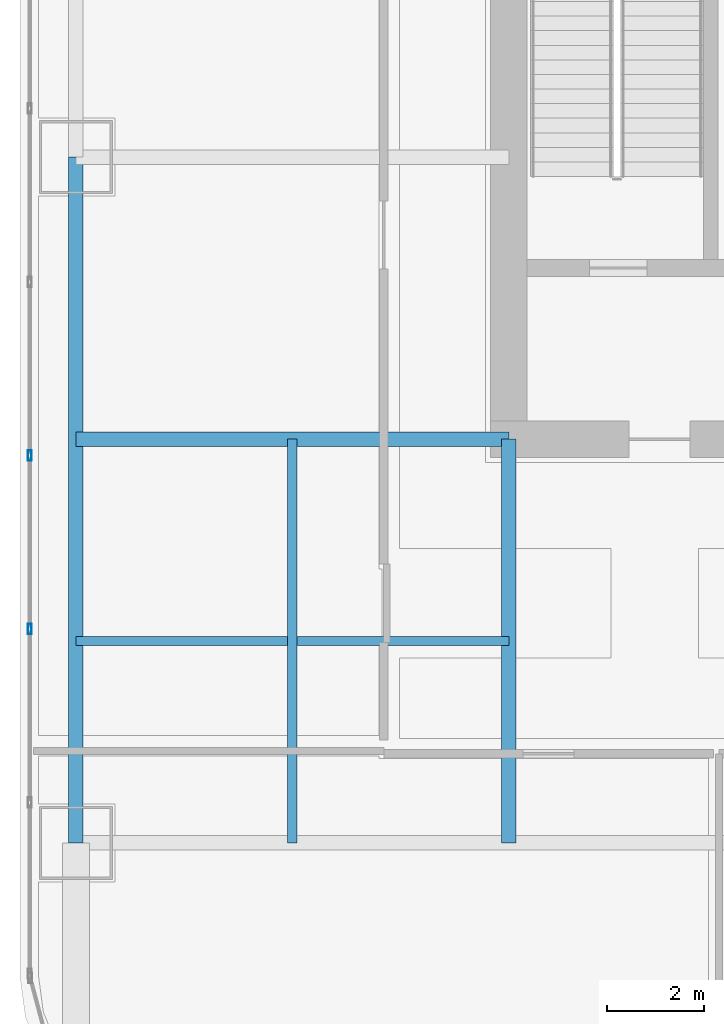
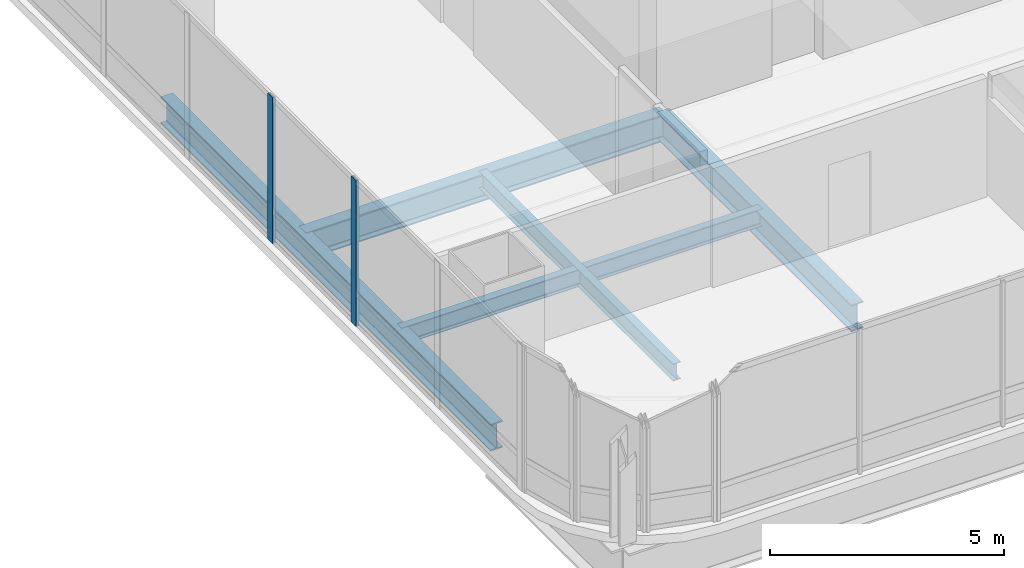
# One storey, part 3 of 34: 5 beams, 2 members, 1 element without a shape of its own.
"""IFC4 building model written with IfcOpenShell, lengths in metres."""

import ifcopenshell
import ifcopenshell.guid

model = None  # the IFC model being written
_history = None  # IfcOwnerHistory: only IFC2X3 demands one
_inside = {}  # id of a spatial element -> (the spatial element, [elements in it])
_under = {}  # id of a project, library or spatial element -> (it, [spatial elements below it])
_declared = {}  # id of a project -> (the project, [libraries it declares])
_typed = {}  # id of a type object -> (the type object, [elements of that type])
_made_of = {}  # id of a material, layer set ... -> (it, [elements and type objects made of it])


def new_model(schema):
    """Start an empty IFC model of exactly this schema.

    Asked for "IFC4X3", IfcOpenShell would pick the latest addendum, in which some entities
    have other attributes; the version numbers below select the first issue.
    IFC2X3 requires an IfcOwnerHistory on every rooted entity: one is made here for all.
    """
    global model, _history
    if schema == "IFC4X3":
        model = ifcopenshell.file(schema_version=(4, 3, 0, 0))
    else:
        model = ifcopenshell.file(schema=schema)
    _inside.clear()
    _under.clear()
    _declared.clear()
    _typed.clear()
    _made_of.clear()
    _history = None
    if model.schema == "IFC2X3":
        org = make("IfcOrganization", Name="unknown")
        user = make(
            "IfcPersonAndOrganization",
            ThePerson=make("IfcPerson", FamilyName="unknown"),
            TheOrganization=org,
        )
        app = make(
            "IfcApplication",
            ApplicationDeveloper=org,
            Version="unknown",
            ApplicationFullName="unknown",
            ApplicationIdentifier="unknown",
        )
        _history = make(
            "IfcOwnerHistory",
            OwningUser=user,
            OwningApplication=app,
            ChangeAction="ADDED",
            CreationDate=0,
        )
    return model


def make(cls, **values):
    """One entity of the class cls with the attributes given. An attribute that is None is left unset."""
    return model.create_entity(
        cls, **{name: value for name, value in values.items() if value is not None}
    )


def rooted(cls, **values):
    """An entity with a GlobalId (a new one), such as an element, a storey or a relation."""
    return make(cls, GlobalId=ifcopenshell.guid.new(), OwnerHistory=_history, **values)


def si_unit(unit_type, name, prefix=None):
    """IfcSIUnit, for example si_unit("LENGTHUNIT", "METRE", prefix="MILLI")."""
    return make("IfcSIUnit", UnitType=unit_type, Prefix=prefix, Name=name)


def assignment(units):
    """IfcUnitAssignment: the units of a project."""
    return None if units is None else make("IfcUnitAssignment", Units=units)


def point(xyz):
    """IfcCartesianPoint."""
    return None if xyz is None else make("IfcCartesianPoint", Coordinates=xyz)


def direction(xyz):
    """IfcDirection."""
    return None if xyz is None else make("IfcDirection", DirectionRatios=xyz)


def frame(location, z_axis=None, x_axis=None):
    """IfcAxis2Placement3D, a coordinate frame: its origin and axes. An axis left out is left unset."""
    return make(
        "IfcAxis2Placement3D",
        Location=point(location),
        Axis=direction(z_axis),
        RefDirection=direction(x_axis),
    )


def frame_2d(location, x_axis=None):
    """IfcAxis2Placement2D, a coordinate frame in the plane: its origin and x axis."""
    return make(
        "IfcAxis2Placement2D", Location=point(location), RefDirection=direction(x_axis)
    )


def origin():
    """The frame at (0, 0, 0) with its axes left unset."""
    return frame((0.0, 0.0, 0.0))


def origin_2d():
    """The frame at (0, 0) in the plane with its x axis left unset."""
    return frame_2d((0.0, 0.0))


def place(relative_to, where):
    """IfcLocalPlacement: puts the frame where relative to a parent placement (None: the world)."""
    return make(
        "IfcLocalPlacement", PlacementRelTo=relative_to, RelativePlacement=where
    )


def context(
    kind, dimensions, precision=None, world=None, true_north=None, identifier=None
):
    """IfcGeometricRepresentationContext, for example the 3D "Model" context."""
    return make(
        "IfcGeometricRepresentationContext",
        ContextIdentifier=identifier,
        ContextType=kind,
        CoordinateSpaceDimension=dimensions,
        Precision=precision,
        WorldCoordinateSystem=world,
        TrueNorth=true_north,
    )


def subcontext(parent, identifier, kind, view, scale=None):
    """IfcGeometricRepresentationSubContext, for example "Body" below "Model"."""
    return make(
        "IfcGeometricRepresentationSubContext",
        ContextIdentifier=identifier,
        ContextType=kind,
        ParentContext=parent,
        TargetScale=scale,
        TargetView=view,
    )


def project(units=None, contexts=None):
    """IfcProject with its units and contexts."""
    return rooted(
        "IfcProject",
        Name="project",
        RepresentationContexts=contexts,
        UnitsInContext=assignment(units),
    )


def spatial(cls, under=None, at=None, **own):
    """A site, building, storey or space (cls), placed at a placement, below another one or the project."""
    s = rooted(cls, ObjectPlacement=at, **own)
    if under is not None:
        _under.setdefault(under.id(), (under, []))[1].append(s)
    return s


def profile(cls, at=None, kind="AREA", **sizes):
    """A parametric profile (cls). Its sizes go by their IFC names, for example OverallWidth=200.0."""
    return make(cls, ProfileType=kind, Position=at, **sizes)


def hollow_rectangle(**sizes):
    """IfcRectangleHollowProfileDef."""
    return profile("IfcRectangleHollowProfileDef", **sizes)


def i_section(**sizes):
    """IfcIShapeProfileDef."""
    return profile("IfcIShapeProfileDef", **sizes)


def extrude(swept, where, along, depth):
    """IfcExtrudedAreaSolid: the profile swept, set in the frame where, extruded along a direction by depth."""
    return make(
        "IfcExtrudedAreaSolid",
        SweptArea=swept,
        Position=where,
        ExtrudedDirection=direction(along),
        Depth=depth,
    )


def shape(context_of_items, identifier, shape_type, items):
    """IfcShapeRepresentation: the items that make up one representation, for example the "Body"."""
    return make(
        "IfcShapeRepresentation",
        ContextOfItems=context_of_items,
        RepresentationIdentifier=identifier,
        RepresentationType=shape_type,
        Items=items,
    )


def material(Name=None, Category=None):
    """IfcMaterial."""
    return make("IfcMaterial", Name=Name, Category=Category)


def material_profile(
    of_material, cross_section, Name=None, Category=None, Priority=None
):
    """IfcMaterialProfile: a cross section and its material."""
    return make(
        "IfcMaterialProfile",
        Name=Name,
        Material=of_material,
        Profile=cross_section,
        Priority=Priority,
        Category=Category,
    )


def profile_set(profiles, Name=None, composite=None):
    """IfcMaterialProfileSet."""
    return make(
        "IfcMaterialProfileSet",
        Name=Name,
        MaterialProfiles=profiles,
        CompositeProfile=composite,
    )


def made_of(thing, what):
    """Note that an element or type object is made of a material, layer set ...; save() writes the relation."""
    if what is not None:
        _made_of.setdefault(what.id(), (what, []))[1].append(thing)
    return thing


def type_object(cls, material=None, **own):
    """A type object (cls), such as IfcWallType, which elements share."""
    return made_of(rooted(cls, **own), material)


def element(
    cls,
    number,
    at=None,
    inside=None,
    cuts=None,
    type_object=None,
    material=None,
    context=None,
    identifier="Body",
    shape_type=None,
    held_by="IfcProductDefinitionShape",
    body=None,
    shapes=None,
    **own,
):
    """One element of the class cls, such as IfcWall. Its Tag is "e" and its number.

    at: its placement. inside: the storey or other place that contains it. cuts: it is an
    opening in that element (IfcRelVoidsElement). A single representation is given by context,
    identifier, shape_type and body (its items); several are given by shapes. held_by: the class
    of the entity that holds the representations. save() writes the other relations.
    """
    e = rooted(cls, Tag="e%d" % number, ObjectPlacement=at, **own)
    if body is not None:
        shapes = [shape(context, identifier, shape_type, body)]
    if shapes is not None:
        e.Representation = make(held_by, Representations=shapes)
    if inside is not None:
        _inside.setdefault(inside.id(), (inside, []))[1].append(e)
    if cuts is not None:
        rooted(
            "IfcRelVoidsElement", RelatingBuildingElement=cuts, RelatedOpeningElement=e
        )
    if type_object is not None:
        _typed.setdefault(type_object.id(), (type_object, []))[1].append(e)
    return made_of(e, material)


def aggregate(whole, parts):
    """IfcRelAggregates: a whole, such as a stair, and the parts it consists of."""
    return rooted("IfcRelAggregates", RelatingObject=whole, RelatedObjects=parts)


def save(model, path):
    """Write the relations noted so far, then the file.

    IfcRelAggregates (storeys below a building ...), IfcRelContainedInSpatialStructure (elements
    in a storey), IfcRelDefinesByType, IfcRelAssociatesMaterial and IfcRelDeclares: one each for
    every whole, place, type object, material and project.
    """
    for whole, parts in _under.values():
        aggregate(whole, parts)
    for where, things in _inside.values():
        rooted(
            "IfcRelContainedInSpatialStructure",
            RelatedElements=things,
            RelatingStructure=where,
        )
    for kind, things in _typed.values():
        rooted("IfcRelDefinesByType", RelatedObjects=things, RelatingType=kind)
    for what, things in _made_of.values():
        rooted("IfcRelAssociatesMaterial", RelatedObjects=things, RelatingMaterial=what)
    for by, libraries in _declared.values():
        rooted("IfcRelDeclares", RelatingContext=by, RelatedDefinitions=libraries)
    model.write(path)


model = new_model("IFC4")

# Units and contexts
model_context = context("Model", 3, precision=1e-05, world=origin(), true_north=direction((0.0, 1.0)))
body_context = subcontext(model_context, "Body", "Model", "MODEL_VIEW")
ifc_project = project(units=[si_unit("LENGTHUNIT", "METRE"), si_unit("AREAUNIT", "SQUARE_METRE"), si_unit("VOLUMEUNIT", "CUBIC_METRE"), si_unit("PLANEANGLEUNIT", "RADIAN"), si_unit("MASSUNIT", "GRAM", prefix="KILO")], contexts=[model_context])

# Site, building, storey
site_placement = place(None, origin())
site = spatial("IfcSite", under=ifc_project, at=site_placement, CompositionType="ELEMENT")
building_placement = place(site_placement, origin())
building = spatial("IfcBuilding", under=site, at=building_placement, Name="Punatoya Terracotta Tower", CompositionType="ELEMENT")
storey_placement = place(building_placement, frame((0.0, 0.0, 84.89990234375)))
storey = spatial("IfcBuildingStorey", under=building, at=storey_placement, Name="L19", CompositionType="ELEMENT", Elevation=84.89990234375)

# Beams
ifc_material_1 = material(Name="Steel S355", Category="steel")
ifc_material_profile_1 = material_profile(ifc_material_1, i_section(OverallWidth=0.300048828125, OverallDepth=0.699951171875, WebThickness=0.01708984375, FlangeThickness=0.031982421875, FilletRadius=0.01806640625, at=origin_2d()))
ifc_profile_set_1 = profile_set([ifc_material_profile_1], Name="Steel S355")
beam_type_1 = type_object("IfcBeamType", Name="BM-PRI-700", PredefinedType="BEAM", material=ifc_profile_set_1)
beam_1_placement = place(storey_placement, frame((-19.10009765625, -17.5, -0.58984375), z_axis=(0.0, 1.0, 0.0), x_axis=(-1.0, 0.0, 0.0)))
element("IfcBeam", 1, at=beam_1_placement, inside=storey, type_object=beam_type_1, Name="BM-L19-RG-W1", PredefinedType="BEAM", context=body_context, shape_type="SweptSolid", body=[
    extrude(i_section(OverallWidth=0.300048828125, OverallDepth=0.699951171875, WebThickness=0.01708984375, FlangeThickness=0.031982421875, FilletRadius=0.01806640625, at=origin_2d()), origin(), (0.0, 0.0, 1.0), 14.10009765625),
])
beam_2_placement = place(storey_placement, frame((-19.10009765625, -9.199951171875, -0.58984375), z_axis=(1.0, 0.0, 0.0), x_axis=(0.0, 1.0, 0.0)))
element("IfcBeam", 2, at=beam_2_placement, inside=storey, type_object=beam_type_1, Name="BM-L19-PR-WS", PredefinedType="BEAM", context=body_context, shape_type="SweptSolid", body=[
    extrude(i_section(OverallWidth=0.300048828125, OverallDepth=0.699951171875, WebThickness=0.01708984375, FlangeThickness=0.031982421875, FilletRadius=0.01806640625, at=origin_2d()), origin(), (0.0, 0.0, 1.0), 8.900146484375),
])
beam_3_placement = place(storey_placement, frame((-10.199951171875, -17.5, -0.58984375), z_axis=(0.0, 1.0, 0.0), x_axis=(-1.0, 0.0, 0.0)))
element("IfcBeam", 3, at=beam_3_placement, inside=storey, type_object=beam_type_1, Name="BM-L19-PR-S1", PredefinedType="BEAM", context=body_context, shape_type="SweptSolid", body=[
    extrude(i_section(OverallWidth=0.300048828125, OverallDepth=0.699951171875, WebThickness=0.01708984375, FlangeThickness=0.031982421875, FilletRadius=0.01806640625, at=origin_2d()), origin(), (0.0, 0.0, 1.0), 8.300048828125),
])
ifc_material_profile_2 = material_profile(ifc_material_1, i_section(OverallWidth=0.18994140625, OverallDepth=0.449951171875, WebThickness=0.009521484375, FlangeThickness=0.0146484375, FilletRadius=0.01806640625, at=origin_2d()))
ifc_profile_set_2 = profile_set([ifc_material_profile_2], Name="Steel S355")
beam_type_2 = type_object("IfcBeamType", Name="BM-SEC-450", PredefinedType="JOIST", material=ifc_profile_set_2)
beam_4_placement = place(storey_placement, frame((-19.10009765625, -13.35009765625, -0.46484375), z_axis=(1.0, 0.0, 0.0), x_axis=(0.0, 1.0, 0.0)))
element("IfcBeam", 4, at=beam_4_placement, inside=storey, type_object=beam_type_2, Name="BM-L19-SJS-1", PredefinedType="JOIST", context=body_context, shape_type="SweptSolid", body=[
    extrude(i_section(OverallWidth=0.18994140625, OverallDepth=0.449951171875, WebThickness=0.009521484375, FlangeThickness=0.0146484375, FilletRadius=0.01806640625, at=origin_2d()), origin(), (0.0, 0.0, 1.0), 8.900146484375),
])
beam_5_placement = place(storey_placement, frame((-14.64990234375, -17.5, -0.46484375), z_axis=(0.0, 1.0, 0.0), x_axis=(-1.0, 0.0, 0.0)))
element("IfcBeam", 5, at=beam_5_placement, inside=storey, type_object=beam_type_2, Name="BM-L19-SJW-1", PredefinedType="JOIST", context=body_context, shape_type="SweptSolid", body=[
    extrude(i_section(OverallWidth=0.18994140625, OverallDepth=0.449951171875, WebThickness=0.009521484375, FlangeThickness=0.0146484375, FilletRadius=0.01806640625, at=origin_2d()), origin(), (0.0, 0.0, 1.0), 8.300048828125),
])

# Curtain wall, members
ifc_material_2 = material(Name="Aluminium 6063-T6 + Double Low-E Glass", Category="aluminium")
curtain_wall_type = type_object("IfcCurtainWallType", Name="CW-M1", PredefinedType="NOTDEFINED", material=ifc_material_2)
curtain_wall_placement = place(storey_placement, origin())
curtain_wall = element("IfcCurtainWall", 6, at=curtain_wall_placement, inside=storey, type_object=curtain_wall_type, Name="L19 Curtain Wall CW-L19-W13-1", PredefinedType="NOTDEFINED")
ifc_material_3 = material(Name="Aluminium 6063-T6", Category="aluminium")
ifc_material_profile_3 = material_profile(ifc_material_3, hollow_rectangle(XDim=0.074951171875, YDim=0.2099609375, WallThickness=0.00439453125, at=origin_2d()))
ifc_profile_set_3 = profile_set([ifc_material_profile_3], Name="Aluminium 6063-T6")
member_type = type_object("IfcMemberType", Name="CW-MUL-M1", PredefinedType="MULLION", material=ifc_profile_set_3)
member_1_placement = place(storey_placement, frame((-20.050048828125, -9.534912109375, 0.0), z_axis=(0.0, 0.0, 1.0), x_axis=(1.0, 0.0, 0.0)))
member_1 = element("IfcMember", 7, at=member_1_placement, type_object=member_type, Name="CW-L19-W13-1 Mullion 07", PredefinedType="MULLION", context=body_context, shape_type="SweptSolid", body=[
    extrude(hollow_rectangle(XDim=0.074951171875, YDim=0.2099609375, WallThickness=0.00439453125, at=origin_2d()), origin(), (0.0, 0.0, 1.0), 3.81005859375),
])
member_2_placement = place(storey_placement, frame((-20.050048828125, -13.10205078125, 0.0), z_axis=(0.0, 0.0, 1.0), x_axis=(1.0, 0.0, 0.0)))
member_2 = element("IfcMember", 8, at=member_2_placement, type_object=member_type, Name="CW-L19-W13-1 Mullion 08", PredefinedType="MULLION", context=body_context, shape_type="SweptSolid", body=[
    extrude(hollow_rectangle(XDim=0.074951171875, YDim=0.2099609375, WallThickness=0.00439453125, at=origin_2d()), origin(), (0.0, 0.0, 1.0), 3.81005859375),
])
aggregate(curtain_wall, [member_1, member_2])

save(model, "model.ifc")
